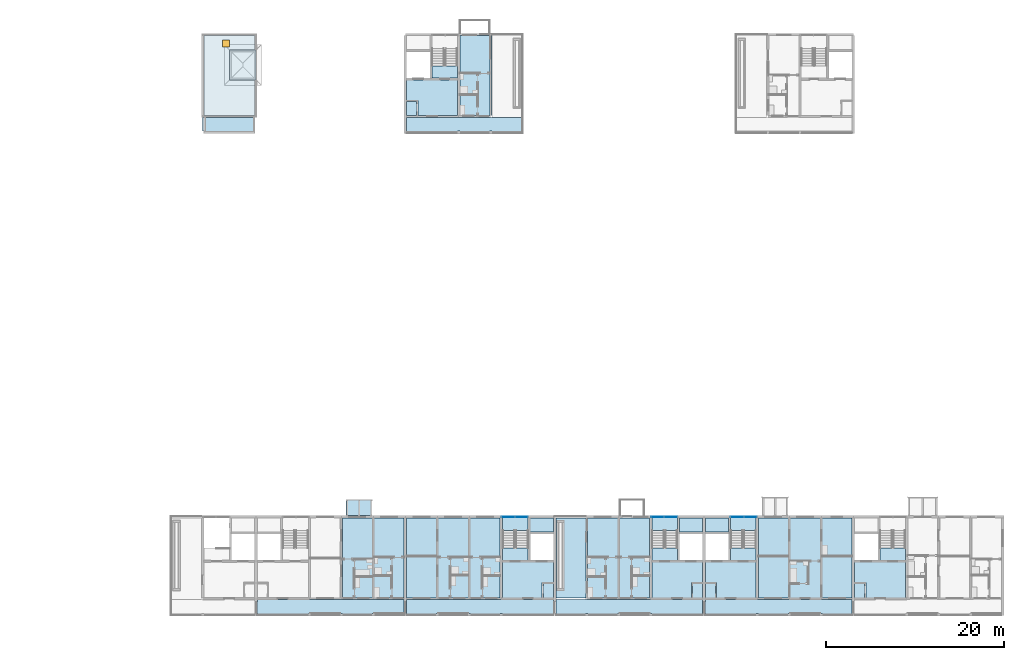
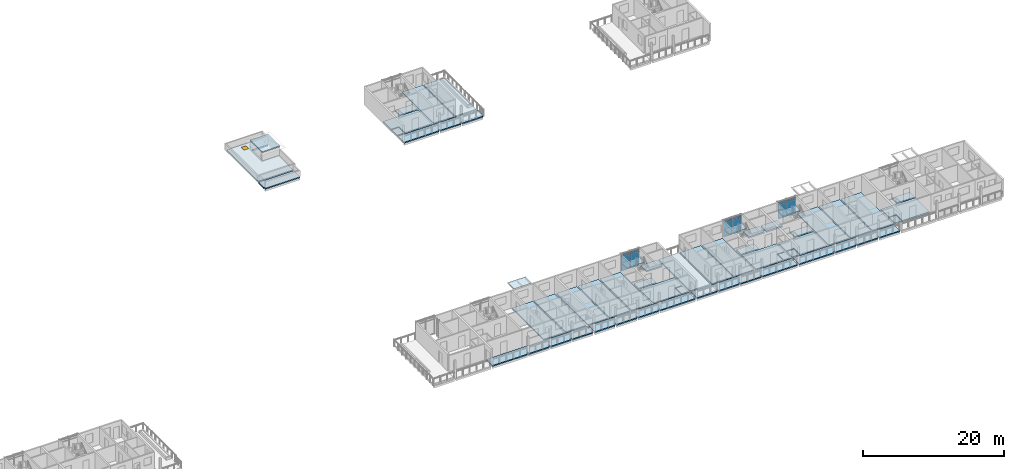
# One storey, part 21 of 64: 43 slabs, 12 plates, 1 door, 1 opening, 6 elements without a shape of their own.
"""IFC4 building model written with IfcOpenShell, lengths in metres."""

from ifc_helpers import new_model, si_unit, direction, frame, origin, origin_2d, place, context, subcontext, project, spatial, polyline, rectangle, outline, extrude, material, layer, layer_set, type_object, element, fill, aggregate, save


model = new_model("IFC4")

# Units and contexts
model_context = context("Model", 3, precision=1e-05, world=origin(), true_north=direction((0.0, 1.0)))
body_context = subcontext(model_context, "Body", "Model", "MODEL_VIEW")
ifc_project = project(units=[si_unit("LENGTHUNIT", "METRE"), si_unit("AREAUNIT", "SQUARE_METRE"), si_unit("VOLUMEUNIT", "CUBIC_METRE"), si_unit("PLANEANGLEUNIT", "RADIAN"), si_unit("MASSUNIT", "GRAM", prefix="KILO")], contexts=[model_context])

# Site, building, storey
site_placement = place(None, origin())
site = spatial("IfcSite", under=ifc_project, at=site_placement, CompositionType="ELEMENT")
building_placement = place(site_placement, origin())
building = spatial("IfcBuilding", under=site, at=building_placement, Name="Ridgestep Commons", CompositionType="ELEMENT")
storey_placement = place(building_placement, frame((0.0, 0.0, 33.0)))
storey = spatial("IfcBuildingStorey", under=building, at=storey_placement, Name="L11", CompositionType="ELEMENT", Elevation=33.0)

# Slabs
ifc_material_1 = material(Name="Precast concrete C40/50", Category="concrete")
ifc_layer_1 = layer(ifc_material_1, 0.199951171875)
ifc_layer_set_1 = layer_set([ifc_layer_1], Name="Gallery roof slab 200")
slab_type_1 = type_object("IfcSlabType", Name="Gallery roof slab 200", PredefinedType="ROOF", material=ifc_layer_set_1)
slab_1_placement = place(storey_placement, frame((0.0, 0.0, -0.199951171875)))
element("IfcSlab", 1, at=slab_1_placement, inside=storey, type_object=slab_type_1, Name="Gallery slab C1 L11", PredefinedType="ROOF", context=body_context, shape_type="SweptSolid", body=[
    extrude(outline(polyline([(157.60009765625, 67.800048828125), (157.60009765625, 66.25), (157.72509765625, 66.25), (157.72509765625, 66.0), (163.449951171875, 66.0), (163.449951171875, 67.800048828125), (157.60009765625, 67.800048828125)])), origin(), (0.0, 0.0, 1.0), 0.199951171875),
])
ifc_material_2 = material(Name="Precast concrete C40/50", Category="concrete")
ifc_layer_2 = layer(ifc_material_2, 0.199951171875)
ifc_layer_set_2 = layer_set([ifc_layer_2], Name="Gallery slab 200")
slab_type_2 = type_object("IfcSlabType", Name="Gallery slab 200", PredefinedType="FLOOR", material=ifc_layer_set_2)
slab_2_placement = place(storey_placement, frame((0.0, 0.0, -0.199951171875)))
element("IfcSlab", 2, at=slab_2_placement, inside=storey, type_object=slab_type_2, Name="Gallery slab C3 L11", PredefinedType="FLOOR", context=body_context, shape_type="SweptSolid", body=[
    extrude(outline(polyline([(193.60009765625, 67.800048828125), (180.550048828125, 67.800048828125), (180.550048828125, 66.0), (186.27490234375, 66.0), (186.27490234375, 66.25), (186.52490234375, 66.25), (186.52490234375, 66.0), (189.875, 66.0), (189.875, 66.25), (190.125, 66.25), (190.125, 66.0), (193.47509765625, 66.0), (193.47509765625, 66.25), (193.60009765625, 66.25), (193.60009765625, 67.800048828125)])), origin(), (0.0, 0.0, 1.0), 0.199951171875),
])
slab_3_placement = place(storey_placement, frame((0.0, 0.0, -0.199951171875)))
element("IfcSlab", 3, at=slab_3_placement, inside=storey, type_object=slab_type_2, Name="Gallery slab D2 L11", PredefinedType="FLOOR", context=body_context, shape_type="SweptSolid", body=[
    extrude(outline(polyline([(180.25, 13.550048828125), (163.75, 13.550048828125), (163.75, 11.75), (169.47509765625, 11.75), (169.47509765625, 12.0), (169.72509765625, 12.0), (169.72509765625, 11.75), (173.074951171875, 11.75), (173.074951171875, 12.0), (173.324951171875, 12.0), (173.324951171875, 11.75), (176.675048828125, 11.75), (176.675048828125, 12.0), (176.925048828125, 12.0), (176.925048828125, 11.75), (180.25, 11.75), (180.25, 13.550048828125)])), origin(), (0.0, 0.0, 1.0), 0.199951171875),
])
slab_4_placement = place(storey_placement, frame((0.0, 0.0, -0.199951171875)))
element("IfcSlab", 4, at=slab_4_placement, inside=storey, type_object=slab_type_2, Name="Gallery slab D3 L11", PredefinedType="FLOOR", context=body_context, shape_type="SweptSolid", body=[
    extrude(outline(polyline([(197.050048828125, 13.550048828125), (180.550048828125, 13.550048828125), (180.550048828125, 11.75), (183.875, 11.75), (183.875, 12.0), (184.125, 12.0), (184.125, 11.75), (187.47509765625, 11.75), (187.47509765625, 12.0), (187.72509765625, 12.0), (187.72509765625, 11.75), (191.074951171875, 11.75), (191.074951171875, 12.0), (191.324951171875, 12.0), (191.324951171875, 11.75), (197.050048828125, 11.75), (197.050048828125, 13.550048828125)])), origin(), (0.0, 0.0, 1.0), 0.199951171875),
])
slab_5_placement = place(storey_placement, frame((0.0, 0.0, -0.199951171875)))
element("IfcSlab", 5, at=slab_5_placement, inside=storey, type_object=slab_type_2, Name="Gallery slab D4 L11", PredefinedType="FLOOR", context=body_context, shape_type="SweptSolid", body=[
    extrude(outline(polyline([(213.85009765625, 13.550048828125), (197.35009765625, 13.550048828125), (197.35009765625, 11.75), (200.675048828125, 11.75), (200.675048828125, 12.0), (200.925048828125, 12.0), (200.925048828125, 11.75), (204.27490234375, 11.75), (204.27490234375, 12.0), (204.52490234375, 12.0), (204.52490234375, 11.75), (207.875, 11.75), (207.875, 12.0), (208.125, 12.0), (208.125, 11.75), (213.85009765625, 11.75), (213.85009765625, 13.550048828125)])), origin(), (0.0, 0.0, 1.0), 0.199951171875),
])
slab_6_placement = place(storey_placement, frame((0.0, 0.0, -0.199951171875)))
element("IfcSlab", 6, at=slab_6_placement, inside=storey, type_object=slab_type_2, Name="Gallery slab D5 L11", PredefinedType="FLOOR", context=body_context, shape_type="SweptSolid", body=[
    extrude(outline(polyline([(230.64990234375, 13.550048828125), (214.14990234375, 13.550048828125), (214.14990234375, 11.75), (219.875, 11.75), (219.875, 12.0), (220.125, 12.0), (220.125, 11.75), (223.47509765625, 11.75), (223.47509765625, 12.0), (223.72509765625, 12.0), (223.72509765625, 11.75), (227.074951171875, 11.75), (227.074951171875, 12.0), (227.324951171875, 12.0), (227.324951171875, 11.75), (230.64990234375, 11.75), (230.64990234375, 13.550048828125)])), origin(), (0.0, 0.0, 1.0), 0.199951171875),
])

# Curtain wall, plates
ifc_material_3 = material(Name="Aluminium 6063-T6 and glass", Category="aluminium")
curtain_wall_type = type_object("IfcCurtainWallType", Name="Curtain wall stair strip", PredefinedType="NOTDEFINED", material=ifc_material_3)
curtain_wall_1_placement = place(storey_placement, origin())
curtain_wall_1 = element("IfcCurtainWall", 7, at=curtain_wall_1_placement, inside=storey, type_object=curtain_wall_type, Name="Curtain wall D3C level 11", PredefinedType="NOTDEFINED")
ifc_material_4 = material(Name="Glass laminated 6/16/6 low-emissivity", Category="glass")
ifc_layer_3 = layer(ifc_material_4, 0.028076171875)
ifc_layer_set_3 = layer_set([ifc_layer_3], Name="Glazing panel 28")
plate_type_1 = type_object("IfcPlateType", Name="Glazing panel 28", PredefinedType="CURTAIN_PANEL", material=ifc_layer_set_3)
plate_1_placement = place(storey_placement, frame((191.97119140625, 22.830078125, 0.06005859375), z_axis=(0.0, 0.0, 1.0), x_axis=(1.0, 0.0, 0.0)))
plate_1 = element("IfcPlate", 8, at=plate_1_placement, type_object=plate_type_1, Name="CW1 panel 1.1", PredefinedType="CURTAIN_PANEL", context=body_context, shape_type="SweptSolid", body=[
    extrude(rectangle(XDim=1.422607421875, YDim=0.028076171875, at=origin_2d()), origin(), (0.0, 0.0, 1.0), 2.5),
])
plate_2_placement = place(storey_placement, frame((193.453857421875, 22.830078125, 0.06005859375), z_axis=(0.0, 0.0, 1.0), x_axis=(1.0, 0.0, 0.0)))
plate_2 = element("IfcPlate", 9, at=plate_2_placement, type_object=plate_type_1, Name="CW1 panel 2.1", PredefinedType="CURTAIN_PANEL", context=body_context, shape_type="SweptSolid", body=[
    extrude(rectangle(XDim=1.422607421875, YDim=0.028076171875, at=origin_2d()), origin(), (0.0, 0.0, 1.0), 2.5),
])

curtain_wall_2_placement = place(storey_placement, origin())
curtain_wall_2 = element("IfcCurtainWall", 10, at=curtain_wall_2_placement, inside=storey, type_object=curtain_wall_type, Name="Curtain wall D4C level 11", PredefinedType="NOTDEFINED")
plate_3_placement = place(storey_placement, frame((208.771240234375, 22.830078125, 0.06005859375), z_axis=(0.0, 0.0, 1.0), x_axis=(1.0, 0.0, 0.0)))
plate_3 = element("IfcPlate", 11, at=plate_3_placement, type_object=plate_type_1, Name="CW1 panel 1.1", PredefinedType="CURTAIN_PANEL", context=body_context, shape_type="SweptSolid", body=[
    extrude(rectangle(XDim=1.422607421875, YDim=0.028076171875, at=origin_2d()), origin(), (0.0, 0.0, 1.0), 2.5),
])
plate_4_placement = place(storey_placement, frame((210.253662109375, 22.830078125, 0.06005859375), z_axis=(0.0, 0.0, 1.0), x_axis=(1.0, 0.0, 0.0)))
plate_4 = element("IfcPlate", 12, at=plate_4_placement, type_object=plate_type_1, Name="CW1 panel 2.1", PredefinedType="CURTAIN_PANEL", context=body_context, shape_type="SweptSolid", body=[
    extrude(rectangle(XDim=1.422607421875, YDim=0.028076171875, at=origin_2d()), origin(), (0.0, 0.0, 1.0), 2.5),
])

curtain_wall_3_placement = place(storey_placement, origin())
curtain_wall_3 = element("IfcCurtainWall", 13, at=curtain_wall_3_placement, inside=storey, type_object=curtain_wall_type, Name="Curtain wall D5C level 11", PredefinedType="NOTDEFINED")
plate_5_placement = place(storey_placement, frame((217.746337890625, 22.830078125, 0.06005859375), z_axis=(0.0, 0.0, 1.0), x_axis=(1.0, 0.0, 0.0)))
plate_5 = element("IfcPlate", 14, at=plate_5_placement, type_object=plate_type_1, Name="CW1 panel 1.1", PredefinedType="CURTAIN_PANEL", context=body_context, shape_type="SweptSolid", body=[
    extrude(rectangle(XDim=1.422607421875, YDim=0.028076171875, at=origin_2d()), origin(), (0.0, 0.0, 1.0), 2.5),
])
plate_6_placement = place(storey_placement, frame((219.228759765625, 22.830078125, 0.06005859375), z_axis=(0.0, 0.0, 1.0), x_axis=(1.0, 0.0, 0.0)))
plate_6 = element("IfcPlate", 15, at=plate_6_placement, type_object=plate_type_1, Name="CW1 panel 2.1", PredefinedType="CURTAIN_PANEL", context=body_context, shape_type="SweptSolid", body=[
    extrude(rectangle(XDim=1.422607421875, YDim=0.028076171875, at=origin_2d()), origin(), (0.0, 0.0, 1.0), 2.5),
])

# Slabs
ifc_material_5 = material(Name="Precast concrete C50/60", Category="concrete")
ifc_layer_4 = layer(ifc_material_5, 0.199951171875)
ifc_layer_set_4 = layer_set([ifc_layer_4], Name="Hollow-core plank 200")
slab_type_3 = type_object("IfcSlabType", Name="Hollow-core plank 200", PredefinedType="FLOOR", material=ifc_layer_set_4)
slab_7_placement = place(storey_placement, frame((0.0, 0.0, -0.199951171875)))
element("IfcSlab", 16, at=slab_7_placement, inside=storey, type_object=slab_type_3, Name="Floor plank C3T3 L11", PredefinedType="FLOOR", context=body_context, shape_type="SweptSolid", body=[
    extrude(outline(polyline([(189.89990234375, 68.0), (189.89990234375, 77.0), (186.52490234375, 77.0), (186.52490234375, 68.0), (189.89990234375, 68.0)])), origin(), (0.0, 0.0, 1.0), 0.199951171875),
])
slab_8_placement = place(storey_placement, frame((0.0, 0.0, -0.199951171875)))
element("IfcSlab", 17, at=slab_8_placement, inside=storey, type_object=slab_type_3, Name="Floor plank D2T2 L11", PredefinedType="FLOOR", context=body_context, shape_type="SweptSolid", body=[
    extrude(outline(polyline([(176.699951171875, 13.75), (176.699951171875, 22.75), (173.300048828125, 22.75), (173.300048828125, 13.75), (176.699951171875, 13.75)])), origin(), (0.0, 0.0, 1.0), 0.199951171875),
])
slab_9_placement = place(storey_placement, frame((0.0, 0.0, -0.199951171875)))
element("IfcSlab", 18, at=slab_9_placement, inside=storey, type_object=slab_type_3, Name="Floor plank D2T1 L11", PredefinedType="FLOOR", context=body_context, shape_type="SweptSolid", body=[
    extrude(outline(polyline([(180.25, 13.75), (180.25, 22.75), (176.89990234375, 22.75), (176.89990234375, 13.75), (180.25, 13.75)])), origin(), (0.0, 0.0, 1.0), 0.199951171875),
])
slab_10_placement = place(storey_placement, frame((0.0, 0.0, -0.199951171875)))
element("IfcSlab", 19, at=slab_10_placement, inside=storey, type_object=slab_type_3, Name="Floor plank D3T1 L11", PredefinedType="FLOOR", context=body_context, shape_type="SweptSolid", body=[
    extrude(outline(polyline([(183.89990234375, 13.75), (183.89990234375, 22.75), (180.550048828125, 22.75), (180.550048828125, 13.75), (183.89990234375, 13.75)])), origin(), (0.0, 0.0, 1.0), 0.199951171875),
])
slab_11_placement = place(storey_placement, frame((0.0, 0.0, -0.199951171875)))
element("IfcSlab", 20, at=slab_11_placement, inside=storey, type_object=slab_type_3, Name="Floor plank D3T2 L11", PredefinedType="FLOOR", context=body_context, shape_type="SweptSolid", body=[
    extrude(outline(polyline([(187.5, 13.75), (187.5, 22.75), (184.10009765625, 22.75), (184.10009765625, 13.75), (187.5, 13.75)])), origin(), (0.0, 0.0, 1.0), 0.199951171875),
])
slab_12_placement = place(storey_placement, frame((0.0, 0.0, -0.199951171875)))
element("IfcSlab", 21, at=slab_12_placement, inside=storey, type_object=slab_type_3, Name="Floor plank D3T3 L11", PredefinedType="FLOOR", context=body_context, shape_type="SweptSolid", body=[
    extrude(outline(polyline([(191.074951171875, 13.75), (191.074951171875, 22.75), (187.699951171875, 22.75), (187.699951171875, 13.75), (191.074951171875, 13.75)])), origin(), (0.0, 0.0, 1.0), 0.199951171875),
])
slab_13_placement = place(storey_placement, frame((0.0, 0.0, -0.199951171875)))
element("IfcSlab", 22, at=slab_13_placement, inside=storey, type_object=slab_type_3, Name="Floor plank D4T2 L11", PredefinedType="FLOOR", context=body_context, shape_type="SweptSolid", body=[
    extrude(outline(polyline([(204.300048828125, 13.75), (204.300048828125, 22.75), (200.89990234375, 22.75), (200.89990234375, 13.75), (204.300048828125, 13.75)])), origin(), (0.0, 0.0, 1.0), 0.199951171875),
])
slab_14_placement = place(storey_placement, frame((0.0, 0.0, -0.199951171875)))
element("IfcSlab", 23, at=slab_14_placement, inside=storey, type_object=slab_type_3, Name="Floor plank D4T3 L11", PredefinedType="FLOOR", context=body_context, shape_type="SweptSolid", body=[
    extrude(outline(polyline([(207.875, 13.75), (207.875, 22.75), (204.5, 22.75), (204.5, 13.75), (207.875, 13.75)])), origin(), (0.0, 0.0, 1.0), 0.199951171875),
])
slab_15_placement = place(storey_placement, frame((0.0, 0.0, -0.199951171875)))
element("IfcSlab", 24, at=slab_15_placement, inside=storey, type_object=slab_type_3, Name="Floor plank D5T3 L11", PredefinedType="FLOOR", context=body_context, shape_type="SweptSolid", body=[
    extrude(outline(polyline([(223.5, 13.75), (223.5, 22.75), (220.125, 22.75), (220.125, 13.75), (223.5, 13.75)])), origin(), (0.0, 0.0, 1.0), 0.199951171875),
])
slab_16_placement = place(storey_placement, frame((0.0, 0.0, -0.199951171875)))
element("IfcSlab", 25, at=slab_16_placement, inside=storey, type_object=slab_type_3, Name="Floor plank D5T2 L11", PredefinedType="FLOOR", context=body_context, shape_type="SweptSolid", body=[
    extrude(outline(polyline([(227.10009765625, 13.75), (227.10009765625, 22.75), (223.699951171875, 22.75), (223.699951171875, 13.75), (227.10009765625, 13.75)])), origin(), (0.0, 0.0, 1.0), 0.199951171875),
])
slab_17_placement = place(storey_placement, frame((0.0, 0.0, -0.199951171875)))
element("IfcSlab", 26, at=slab_17_placement, inside=storey, type_object=slab_type_3, Name="Floor plank D5T1 L11", PredefinedType="FLOOR", context=body_context, shape_type="SweptSolid", body=[
    extrude(outline(polyline([(230.64990234375, 13.75), (230.64990234375, 22.75), (227.300048828125, 22.75), (227.300048828125, 13.75), (230.64990234375, 13.75)])), origin(), (0.0, 0.0, 1.0), 0.199951171875),
])
ifc_material_6 = material(Name="Precast concrete C50/60", Category="concrete")
ifc_layer_5 = layer(ifc_material_6, 0.25)
ifc_layer_set_5 = layer_set([ifc_layer_5], Name="Hollow-core plank 250")
slab_type_4 = type_object("IfcSlabType", Name="Hollow-core plank 250", PredefinedType="FLOOR", material=ifc_layer_set_5)
slab_18_placement = place(storey_placement, frame((0.0, 0.0, -0.25)))
element("IfcSlab", 27, at=slab_18_placement, inside=storey, type_object=slab_type_4, Name="Floor plank C3C L11", PredefinedType="FLOOR", context=body_context, shape_type="SweptSolid", body=[
    extrude(outline(polyline([(181.800048828125, 68.0), (186.27490234375, 68.0), (186.27490234375, 72.0), (180.550048828125, 72.0), (180.550048828125, 69.719970703125), (181.679931640625, 69.719970703125), (181.800048828125, 69.719970703125), (181.800048828125, 68.0)])), origin(), (0.0, 0.0, 1.0), 0.25),
])
slab_19_placement = place(storey_placement, frame((0.0, 0.0, -0.25)))
element("IfcSlab", 28, at=slab_19_placement, inside=storey, type_object=slab_type_4, Name="Floor plank C3C L11", PredefinedType="FLOOR", context=body_context, shape_type="SweptSolid", body=[
    extrude(outline(polyline([(186.27490234375, 72.199951171875), (186.27490234375, 73.60009765625), (183.375, 73.60009765625), (183.375, 72.199951171875), (186.27490234375, 72.199951171875)])), origin(), (0.0, 0.0, 1.0), 0.25),
])
slab_20_placement = place(storey_placement, frame((0.0, 0.0, -0.25)))
element("IfcSlab", 29, at=slab_20_placement, inside=storey, type_object=slab_type_4, Name="Floor plank C3C L11", PredefinedType="FLOOR", context=body_context, shape_type="SweptSolid", body=[
    extrude(outline(polyline([(181.679931640625, 69.60009765625), (180.550048828125, 69.60009765625), (180.550048828125, 68.0), (181.679931640625, 68.0), (181.679931640625, 69.60009765625)])), origin(), (0.0, 0.0, 1.0), 0.25),
])
slab_21_placement = place(storey_placement, frame((0.0, 0.0, -0.25)))
element("IfcSlab", 30, at=slab_21_placement, inside=storey, type_object=slab_type_4, Name="Floor plank D3C L11", PredefinedType="FLOOR", context=body_context, shape_type="SweptSolid", body=[
    extrude(outline(polyline([(195.919921875, 15.469970703125), (197.050048828125, 15.469970703125), (197.050048828125, 17.75), (191.324951171875, 17.75), (191.324951171875, 13.75), (195.800048828125, 13.75), (195.800048828125, 15.469970703125), (195.919921875, 15.469970703125)])), origin(), (0.0, 0.0, 1.0), 0.25),
])
slab_22_placement = place(storey_placement, frame((0.0, 0.0, -0.25)))
element("IfcSlab", 31, at=slab_22_placement, inside=storey, type_object=slab_type_4, Name="Floor plank D3C L11", PredefinedType="FLOOR", context=body_context, shape_type="SweptSolid", body=[
    extrude(outline(polyline([(197.050048828125, 21.14990234375), (197.050048828125, 22.75), (194.425048828125, 22.75), (194.425048828125, 21.14990234375), (197.050048828125, 21.14990234375)])), origin(), (0.0, 0.0, 1.0), 0.25),
])
slab_23_placement = place(storey_placement, frame((0.0, 0.0, -0.25)))
element("IfcSlab", 32, at=slab_23_placement, inside=storey, type_object=slab_type_4, Name="Floor plank D3C L11", PredefinedType="FLOOR", context=body_context, shape_type="SweptSolid", body=[
    extrude(outline(polyline([(194.22509765625, 17.949951171875), (194.22509765625, 19.35009765625), (191.324951171875, 19.35009765625), (191.324951171875, 17.949951171875), (194.22509765625, 17.949951171875)])), origin(), (0.0, 0.0, 1.0), 0.25),
])
slab_24_placement = place(storey_placement, frame((0.0, 0.0, -0.25)))
element("IfcSlab", 33, at=slab_24_placement, inside=storey, type_object=slab_type_4, Name="Floor plank D3C L11", PredefinedType="FLOOR", context=body_context, shape_type="SweptSolid", body=[
    extrude(outline(polyline([(195.919921875, 13.75), (197.050048828125, 13.75), (197.050048828125, 15.35009765625), (195.919921875, 15.35009765625), (195.919921875, 13.75)])), origin(), (0.0, 0.0, 1.0), 0.25),
])
slab_25_placement = place(storey_placement, frame((0.0, 0.0, -0.25)))
element("IfcSlab", 34, at=slab_25_placement, inside=storey, type_object=slab_type_4, Name="Floor plank D4C L11", PredefinedType="FLOOR", context=body_context, shape_type="SweptSolid", body=[
    extrude(outline(polyline([(212.719970703125, 15.469970703125), (213.85009765625, 15.469970703125), (213.85009765625, 17.75), (208.125, 17.75), (208.125, 13.75), (212.60009765625, 13.75), (212.60009765625, 15.469970703125), (212.719970703125, 15.469970703125)])), origin(), (0.0, 0.0, 1.0), 0.25),
])
slab_26_placement = place(storey_placement, frame((0.0, 0.0, -0.25)))
element("IfcSlab", 35, at=slab_26_placement, inside=storey, type_object=slab_type_4, Name="Floor plank D4C L11", PredefinedType="FLOOR", context=body_context, shape_type="SweptSolid", body=[
    extrude(outline(polyline([(213.85009765625, 21.14990234375), (213.85009765625, 22.75), (211.22509765625, 22.75), (211.22509765625, 21.14990234375), (213.85009765625, 21.14990234375)])), origin(), (0.0, 0.0, 1.0), 0.25),
])
slab_27_placement = place(storey_placement, frame((0.0, 0.0, -0.25)))
element("IfcSlab", 36, at=slab_27_placement, inside=storey, type_object=slab_type_4, Name="Floor plank D4C L11", PredefinedType="FLOOR", context=body_context, shape_type="SweptSolid", body=[
    extrude(outline(polyline([(211.02490234375, 17.949951171875), (211.02490234375, 19.35009765625), (208.125, 19.35009765625), (208.125, 17.949951171875), (211.02490234375, 17.949951171875)])), origin(), (0.0, 0.0, 1.0), 0.25),
])
slab_28_placement = place(storey_placement, frame((0.0, 0.0, -0.25)))
element("IfcSlab", 37, at=slab_28_placement, inside=storey, type_object=slab_type_4, Name="Floor plank D4C L11", PredefinedType="FLOOR", context=body_context, shape_type="SweptSolid", body=[
    extrude(outline(polyline([(212.719970703125, 13.75), (213.85009765625, 13.75), (213.85009765625, 15.35009765625), (212.719970703125, 15.35009765625), (212.719970703125, 13.75)])), origin(), (0.0, 0.0, 1.0), 0.25),
])
slab_29_placement = place(storey_placement, frame((0.0, 0.0, -0.25)))
element("IfcSlab", 38, at=slab_29_placement, inside=storey, type_object=slab_type_4, Name="Floor plank D5C L11", PredefinedType="FLOOR", context=body_context, shape_type="SweptSolid", body=[
    extrude(outline(polyline([(215.39990234375, 13.75), (219.875, 13.75), (219.875, 17.75), (214.14990234375, 17.75), (214.14990234375, 15.469970703125), (215.280029296875, 15.469970703125), (215.39990234375, 15.469970703125), (215.39990234375, 13.75)])), origin(), (0.0, 0.0, 1.0), 0.25),
])
slab_30_placement = place(storey_placement, frame((0.0, 0.0, -0.25)))
element("IfcSlab", 39, at=slab_30_placement, inside=storey, type_object=slab_type_4, Name="Floor plank D5C L11", PredefinedType="FLOOR", context=body_context, shape_type="SweptSolid", body=[
    extrude(outline(polyline([(216.77490234375, 22.75), (214.14990234375, 22.75), (214.14990234375, 21.14990234375), (216.77490234375, 21.14990234375), (216.77490234375, 22.75)])), origin(), (0.0, 0.0, 1.0), 0.25),
])
slab_31_placement = place(storey_placement, frame((0.0, 0.0, -0.25)))
element("IfcSlab", 40, at=slab_31_placement, inside=storey, type_object=slab_type_4, Name="Floor plank D5C L11", PredefinedType="FLOOR", context=body_context, shape_type="SweptSolid", body=[
    extrude(outline(polyline([(219.875, 17.949951171875), (219.875, 19.35009765625), (216.97509765625, 19.35009765625), (216.97509765625, 17.949951171875), (219.875, 17.949951171875)])), origin(), (0.0, 0.0, 1.0), 0.25),
])
slab_32_placement = place(storey_placement, frame((0.0, 0.0, -0.25)))
element("IfcSlab", 41, at=slab_32_placement, inside=storey, type_object=slab_type_4, Name="Floor plank D5C L11", PredefinedType="FLOOR", context=body_context, shape_type="SweptSolid", body=[
    extrude(outline(polyline([(215.280029296875, 15.35009765625), (214.14990234375, 15.35009765625), (214.14990234375, 13.75), (215.280029296875, 13.75), (215.280029296875, 15.35009765625)])), origin(), (0.0, 0.0, 1.0), 0.25),
])
slab_33_placement = place(storey_placement, frame((0.0, 0.0, -0.25)))
element("IfcSlab", 42, at=slab_33_placement, inside=storey, type_object=slab_type_4, Name="Floor plank D6C L11", PredefinedType="FLOOR", context=body_context, shape_type="SweptSolid", body=[
    extrude(outline(polyline([(232.199951171875, 13.75), (236.675048828125, 13.75), (236.675048828125, 17.75), (230.949951171875, 17.75), (230.949951171875, 15.469970703125), (232.080078125, 15.469970703125), (232.199951171875, 15.469970703125), (232.199951171875, 13.75)])), origin(), (0.0, 0.0, 1.0), 0.25),
])
slab_34_placement = place(storey_placement, frame((0.0, 0.0, -0.25)))
element("IfcSlab", 43, at=slab_34_placement, inside=storey, type_object=slab_type_4, Name="Floor plank D6C L11", PredefinedType="FLOOR", context=body_context, shape_type="SweptSolid", body=[
    extrude(outline(polyline([(236.675048828125, 17.949951171875), (236.675048828125, 19.35009765625), (233.77490234375, 19.35009765625), (233.77490234375, 17.949951171875), (236.675048828125, 17.949951171875)])), origin(), (0.0, 0.0, 1.0), 0.25),
])
slab_35_placement = place(storey_placement, frame((0.0, 0.0, -0.25)))
element("IfcSlab", 44, at=slab_35_placement, inside=storey, type_object=slab_type_4, Name="Floor plank D6C L11", PredefinedType="FLOOR", context=body_context, shape_type="SweptSolid", body=[
    extrude(outline(polyline([(232.080078125, 15.35009765625), (230.949951171875, 15.35009765625), (230.949951171875, 13.75), (232.080078125, 13.75), (232.080078125, 15.35009765625)])), origin(), (0.0, 0.0, 1.0), 0.25),
])
ifc_material_7 = material(Name="Precast concrete C50/60", Category="concrete")
ifc_layer_6 = layer(ifc_material_7, 0.199951171875)
ifc_layer_set_6 = layer_set([ifc_layer_6], Name="Overrun roof 200")
slab_type_5 = type_object("IfcSlabType", Name="Overrun roof 200", PredefinedType="ROOF", material=ifc_layer_set_6)
slab_36_placement = place(storey_placement, frame((0.0, 0.0, 1.5)))
element("IfcSlab", 45, at=slab_36_placement, inside=storey, type_object=slab_type_5, Name="Lift overrun roof C1C", PredefinedType="ROOF", context=body_context, shape_type="SweptSolid", body=[
    extrude(outline(polyline([(163.60009765625, 72.0), (163.60009765625, 75.39990234375), (160.625, 75.39990234375), (160.625, 72.0), (163.60009765625, 72.0)])), origin(), (0.0, 0.0, 1.0), 0.199951171875),
])

# Slab, opening, door
ifc_material_8 = material(Name="Precast concrete C50/60", Category="concrete")
ifc_layer_7 = layer(ifc_material_8, 0.25)
ifc_layer_set_7 = layer_set([ifc_layer_7], Name="Roof slab 250")
slab_type_6 = type_object("IfcSlabType", Name="Roof slab 250", PredefinedType="ROOF", material=ifc_layer_set_7)
slab_37_placement = place(storey_placement, frame((0.0, 0.0, -0.25)))
slab_37 = element("IfcSlab", 46, at=slab_37_placement, inside=storey, type_object=slab_type_6, Name="Roof slab C1C", PredefinedType="ROOF", context=body_context, shape_type="SweptSolid", body=[
    extrude(outline(polyline([(163.449951171875, 68.0), (163.449951171875, 72.199951171875), (160.824951171875, 72.199951171875), (160.824951171875, 75.199951171875), (163.449951171875, 75.199951171875), (163.449951171875, 77.0), (157.72509765625, 77.0), (157.72509765625, 68.0), (163.449951171875, 68.0)])), origin(), (0.0, 0.0, 1.0), 0.25),
])
opening_placement = place(slab_37_placement, frame((160.22509765625, 76.10009765625, 0.0)))
opening = element("IfcOpeningElement", 47, at=opening_placement, cuts=slab_37, Name="Opening C1C/RF/1", PredefinedType="OPENING", context=body_context, shape_type="SweptSolid", body=[
    extrude(rectangle(XDim=0.800048828125, YDim=0.800048828125, at=origin_2d()), origin(), (0.0, 0.0, 1.0), 0.25),
])
ifc_material_9 = material(Name="Steel", Category="steel")
door_type = type_object("IfcDoorType", Name="Ladder roof hatch 800 x 800", OperationType="SINGLE_SWING_LEFT", PredefinedType="TRAPDOOR", material=ifc_material_9)
door_placement = place(opening_placement, frame((0.0, 0.0, 0.199951171875)))
door = element("IfcDoor", 48, at=door_placement, inside=storey, type_object=door_type, Name="Roof hatch C1C", OperationType="SINGLE_SWING_LEFT", OverallHeight=0.800048828125, OverallWidth=0.800048828125, PredefinedType="TRAPDOOR", context=body_context, shape_type="SweptSolid", body=[
    extrude(rectangle(XDim=0.800048828125, YDim=0.800048828125, at=origin_2d()), origin(), (0.0, 0.0, 1.0), 0.050048828125),
])
fill(opening, door)

# Slabs
slab_38_placement = place(storey_placement, frame((0.0, 0.0, -0.25)))
element("IfcSlab", 49, at=slab_38_placement, inside=storey, type_object=slab_type_6, Name="Terrace slab C3T2", PredefinedType="ROOF", context=body_context, shape_type="SweptSolid", body=[
    extrude(outline(polyline([(193.5, 68.0), (193.5, 77.0), (190.10009765625, 77.0), (190.10009765625, 68.0), (193.5, 68.0)])), origin(), (0.0, 0.0, 1.0), 0.25),
])
slab_39_placement = place(storey_placement, frame((0.0, 0.0, -0.25)))
element("IfcSlab", 50, at=slab_39_placement, inside=storey, type_object=slab_type_6, Name="Terrace slab D4T1", PredefinedType="ROOF", context=body_context, shape_type="SweptSolid", body=[
    extrude(outline(polyline([(200.699951171875, 13.75), (200.699951171875, 22.75), (197.35009765625, 22.75), (197.35009765625, 13.75), (200.699951171875, 13.75)])), origin(), (0.0, 0.0, 1.0), 0.25),
])

# Plate
ifc_material_10 = material(Name="Aluminium 6063-T6 and mineral wool", Category="aluminium")
ifc_layer_8 = layer(ifc_material_10, 0.0400390625)
ifc_layer_set_8 = layer_set([ifc_layer_8], Name="Spandrel panel 40")
plate_type_2 = type_object("IfcPlateType", Name="Spandrel panel 40", PredefinedType="CURTAIN_PANEL", material=ifc_layer_set_8)
plate_7_placement = place(storey_placement, frame((191.97119140625, 22.830078125, 2.6201171875), z_axis=(0.0, 0.0, 1.0), x_axis=(1.0, 0.0, 0.0)))
plate_7 = element("IfcPlate", 51, at=plate_7_placement, type_object=plate_type_2, Name="CW1 panel 1.2", PredefinedType="CURTAIN_PANEL", context=body_context, shape_type="SweptSolid", body=[
    extrude(rectangle(XDim=1.422607421875, YDim=0.0400390625, at=origin_2d()), origin(), (0.0, 0.0, 1.0), 0.320068359375),
])

plate_8_placement = place(storey_placement, frame((193.453857421875, 22.830078125, 2.6201171875), z_axis=(0.0, 0.0, 1.0), x_axis=(1.0, 0.0, 0.0)))
plate_8 = element("IfcPlate", 52, at=plate_8_placement, type_object=plate_type_2, Name="CW1 panel 2.2", PredefinedType="CURTAIN_PANEL", context=body_context, shape_type="SweptSolid", body=[
    extrude(rectangle(XDim=1.422607421875, YDim=0.0400390625, at=origin_2d()), origin(), (0.0, 0.0, 1.0), 0.320068359375),
])

aggregate(curtain_wall_1, [plate_1, plate_7, plate_2, plate_8])

plate_9_placement = place(storey_placement, frame((208.771240234375, 22.830078125, 2.6201171875), z_axis=(0.0, 0.0, 1.0), x_axis=(1.0, 0.0, 0.0)))
plate_9 = element("IfcPlate", 53, at=plate_9_placement, type_object=plate_type_2, Name="CW1 panel 1.2", PredefinedType="CURTAIN_PANEL", context=body_context, shape_type="SweptSolid", body=[
    extrude(rectangle(XDim=1.422607421875, YDim=0.0400390625, at=origin_2d()), origin(), (0.0, 0.0, 1.0), 0.320068359375),
])

plate_10_placement = place(storey_placement, frame((210.253662109375, 22.830078125, 2.6201171875), z_axis=(0.0, 0.0, 1.0), x_axis=(1.0, 0.0, 0.0)))
plate_10 = element("IfcPlate", 54, at=plate_10_placement, type_object=plate_type_2, Name="CW1 panel 2.2", PredefinedType="CURTAIN_PANEL", context=body_context, shape_type="SweptSolid", body=[
    extrude(rectangle(XDim=1.422607421875, YDim=0.0400390625, at=origin_2d()), origin(), (0.0, 0.0, 1.0), 0.320068359375),
])

aggregate(curtain_wall_2, [plate_3, plate_9, plate_4, plate_10])

plate_11_placement = place(storey_placement, frame((217.746337890625, 22.830078125, 2.6201171875), z_axis=(0.0, 0.0, 1.0), x_axis=(1.0, 0.0, 0.0)))
plate_11 = element("IfcPlate", 55, at=plate_11_placement, type_object=plate_type_2, Name="CW1 panel 1.2", PredefinedType="CURTAIN_PANEL", context=body_context, shape_type="SweptSolid", body=[
    extrude(rectangle(XDim=1.422607421875, YDim=0.0400390625, at=origin_2d()), origin(), (0.0, 0.0, 1.0), 0.320068359375),
])

plate_12_placement = place(storey_placement, frame((219.228759765625, 22.830078125, 2.6201171875), z_axis=(0.0, 0.0, 1.0), x_axis=(1.0, 0.0, 0.0)))
plate_12 = element("IfcPlate", 56, at=plate_12_placement, type_object=plate_type_2, Name="CW1 panel 2.2", PredefinedType="CURTAIN_PANEL", context=body_context, shape_type="SweptSolid", body=[
    extrude(rectangle(XDim=1.422607421875, YDim=0.0400390625, at=origin_2d()), origin(), (0.0, 0.0, 1.0), 0.320068359375),
])

aggregate(curtain_wall_3, [plate_5, plate_11, plate_6, plate_12])

# Stair, slab
ifc_material_11 = material(Name="Precast concrete C40/50", Category="concrete")
stair_type = type_object("IfcStairType", Name="Escape stair 1400", PredefinedType="HALF_TURN_STAIR", material=ifc_material_11)
stair_1_placement = place(storey_placement, origin())
stair_1 = element("IfcStair", 57, at=stair_1_placement, inside=storey, type_object=stair_type, Name="L11 Escape stair D3C", PredefinedType="HALF_TURN_STAIR")
ifc_material_12 = material(Name="Precast concrete C40/50", Category="concrete")
ifc_layer_9 = layer(ifc_material_12, 0.199951171875)
ifc_layer_set_9 = layer_set([ifc_layer_9], Name="Stair landing 200")
slab_type_7 = type_object("IfcSlabType", Name="Stair landing 200", PredefinedType="LANDING", material=ifc_layer_set_9)
slab_40_placement = place(storey_placement, frame((0.0, 0.0, 1.300048828125)))
slab_40 = element("IfcSlab", 58, at=slab_40_placement, type_object=slab_type_7, Name="D3C landing 1", PredefinedType="LANDING", context=body_context, shape_type="SweptSolid", body=[
    extrude(outline(polyline([(194.22509765625, 21.31005859375), (194.22509765625, 22.75), (191.324951171875, 22.75), (191.324951171875, 21.31005859375), (194.22509765625, 21.31005859375)])), origin(), (0.0, 0.0, 1.0), 0.199951171875),
])
aggregate(stair_1, [slab_40])

stair_2_placement = place(storey_placement, origin())
stair_2 = element("IfcStair", 59, at=stair_2_placement, inside=storey, type_object=stair_type, Name="L11 Escape stair D4C", PredefinedType="HALF_TURN_STAIR")
slab_41_placement = place(storey_placement, frame((0.0, 0.0, 1.300048828125)))
slab_41 = element("IfcSlab", 60, at=slab_41_placement, type_object=slab_type_7, Name="D4C landing 1", PredefinedType="LANDING", context=body_context, shape_type="SweptSolid", body=[
    extrude(outline(polyline([(211.02490234375, 21.31005859375), (211.02490234375, 22.75), (208.125, 22.75), (208.125, 21.31005859375), (211.02490234375, 21.31005859375)])), origin(), (0.0, 0.0, 1.0), 0.199951171875),
])
aggregate(stair_2, [slab_41])

stair_3_placement = place(storey_placement, origin())
stair_3 = element("IfcStair", 61, at=stair_3_placement, inside=storey, type_object=stair_type, Name="L11 Escape stair D5C", PredefinedType="HALF_TURN_STAIR")
slab_42_placement = place(storey_placement, frame((0.0, 0.0, 1.300048828125)))
slab_42 = element("IfcSlab", 62, at=slab_42_placement, type_object=slab_type_7, Name="D5C landing 1", PredefinedType="LANDING", context=body_context, shape_type="SweptSolid", body=[
    extrude(outline(polyline([(219.875, 21.31005859375), (219.875, 22.75), (216.97509765625, 22.75), (216.97509765625, 21.31005859375), (219.875, 21.31005859375)])), origin(), (0.0, 0.0, 1.0), 0.199951171875),
])
aggregate(stair_3, [slab_42])

# Slab
ifc_material_13 = material(Name="Weathering steel S355J2W", Category="steel")
ifc_layer_10 = layer(ifc_material_13, 0.010009765625)
ifc_layer_set_10 = layer_set([ifc_layer_10], Name="Tray 3.0 x 1.8")
slab_type_8 = type_object("IfcSlabType", Name="Tray 3.0 x 1.8", PredefinedType="FLOOR", material=ifc_layer_set_10)
slab_43_placement = place(storey_placement, frame((0.0, 0.0, 2.989990234375)))
element("IfcSlab", 63, at=slab_43_placement, inside=storey, type_object=slab_type_8, Name="Tray deck D2T2-12", PredefinedType="FLOOR", context=body_context, shape_type="SweptSolid", body=[
    extrude(outline(polyline([(173.72998046875, 23.0), (176.669921875, 23.0), (176.669921875, 24.800048828125), (173.72998046875, 24.800048828125), (173.72998046875, 23.0)])), origin(), (0.0, 0.0, 1.0), 0.010009765625),
])

save(model, "model.ifc")
